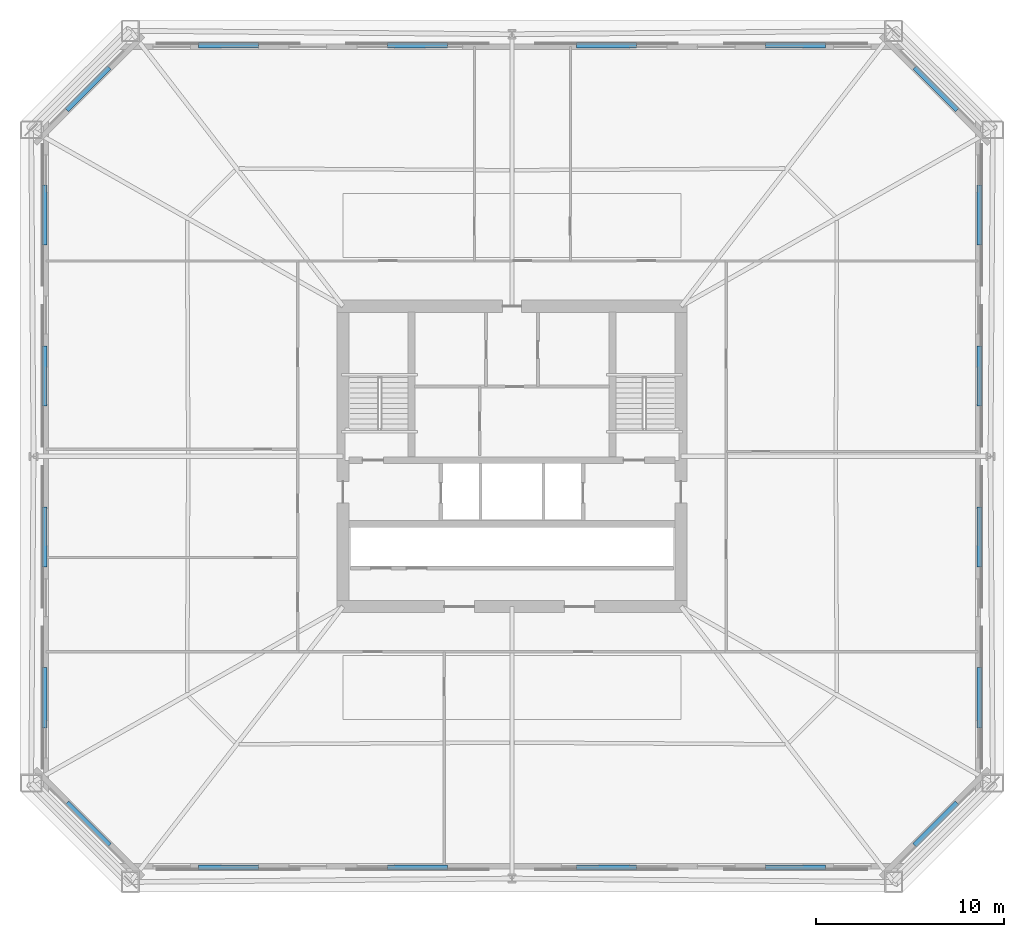
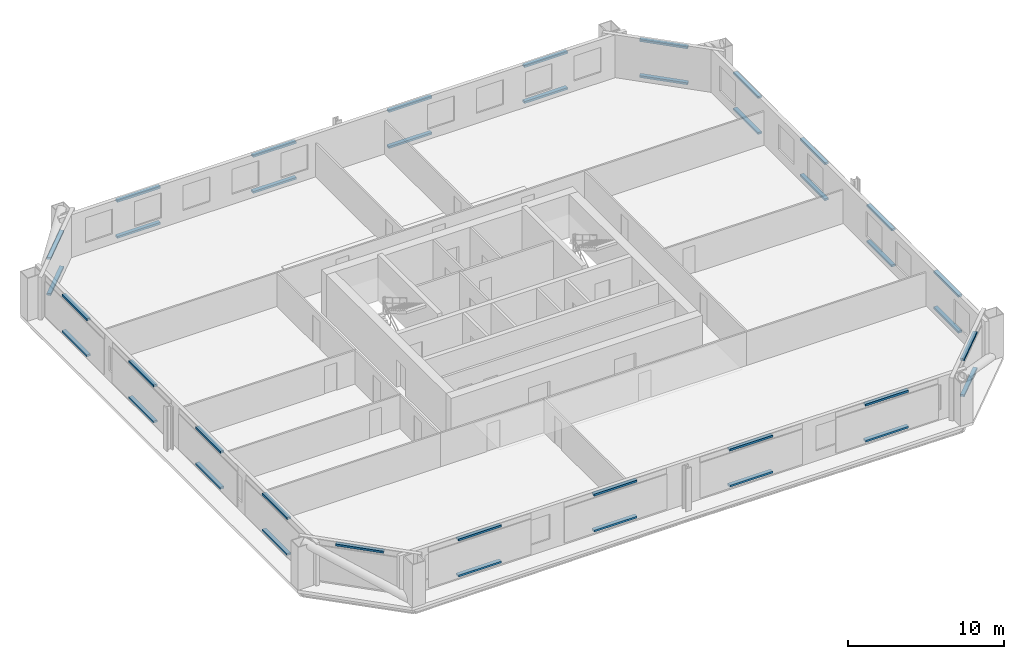
# One storey, part 8 of 11: 39 discrete accessories.
"""IFC4 building model written with IfcOpenShell, lengths in metres."""

from ifc_helpers import new_model, si_unit, direction, frame, origin, origin_2d, place, context, subcontext, project, spatial, rectangle, extrude, material, type_object, element, save


model = new_model("IFC4")

# Units and contexts
model_context = context("Model", 3, precision=1e-05, world=origin(), true_north=direction((0.0, 1.0)))
body_context = subcontext(model_context, "Body", "Model", "MODEL_VIEW")
ifc_project = project(units=[si_unit("LENGTHUNIT", "METRE"), si_unit("AREAUNIT", "SQUARE_METRE"), si_unit("VOLUMEUNIT", "CUBIC_METRE"), si_unit("PLANEANGLEUNIT", "RADIAN"), si_unit("MASSUNIT", "GRAM", prefix="KILO")], contexts=[model_context])

# Site, building, storey
site_placement = place(None, origin())
site = spatial("IfcSite", under=ifc_project, at=site_placement, CompositionType="ELEMENT")
building_placement = place(site_placement, origin())
building = spatial("IfcBuilding", under=site, at=building_placement, Name="Caelvoria Tower", CompositionType="ELEMENT")
storey_placement = place(building_placement, frame((0.0, 0.0, 74.800048828125)))
storey = spatial("IfcBuildingStorey", under=building, at=storey_placement, Name="L19", CompositionType="ELEMENT", Elevation=74.800048828125)

# Discrete accessories
ifc_material = material(Name="Anodised Bronze Stainless Bracket", Category="bronze")
discrete_accessory_type = type_object("IfcDiscreteAccessoryType", Name="Solar Screen Outrigger Support Bracket", PredefinedType="BRACKET", material=ifc_material)
for number, where, z_axis, x_axis, name in (
    (1, (30.89501953125, 10.10302734375, 0.240234375), (0.0, 0.0, 1.0), (1.0, 0.0, 0.0), "Solar Screen Bracket L19-E0-00"),
    (2, (30.89501953125, 10.10302734375, 3.06005859375), (0.0, 0.0, 1.0), (1.0, 0.0, 0.0), "Upper Screen Band Bracket L19-E0-00"),
    (3, (40.965087890625, 10.10302734375, 0.240234375), (0.0, 0.0, 1.0), (1.0, 0.0, 0.0), "Solar Screen Bracket L19-E0-01"),
    (4, (40.965087890625, 10.10302734375, 3.06005859375), (0.0, 0.0, 1.0), (1.0, 0.0, 0.0), "Upper Screen Band Bracket L19-E0-01"),
    (5, (51.034912109375, 10.10302734375, 0.240234375), (0.0, 0.0, 1.0), (1.0, 0.0, 0.0), "Solar Screen Bracket L19-E0-02"),
    (6, (51.034912109375, 10.10302734375, 3.06005859375), (0.0, 0.0, 1.0), (1.0, 0.0, 0.0), "Upper Screen Band Bracket L19-E0-02"),
    (7, (61.10498046875, 10.10302734375, 0.240234375), (0.0, 0.0, 1.0), (1.0, 0.0, 0.0), "Solar Screen Bracket L19-E0-03"),
    (8, (61.10498046875, 10.10302734375, 3.06005859375), (0.0, 0.0, 1.0), (1.0, 0.0, 0.0), "Upper Screen Band Bracket L19-E0-03"),
    (9, (68.57861328125, 12.42138671875, 0.240234375), (0.0, 0.0, 1.0), (0.707106781187, 0.707106781187, 0.0), "Solar Screen Bracket L19-E1-00"),
    (10, (68.57861328125, 12.42138671875, 3.06005859375), (0.0, 0.0, 1.0), (0.707106781187, 0.707106781187, 0.0), "Upper Screen Band Bracket L19-E1-00"),
    (11, (70.89697265625, 19.14501953125, 0.240234375), (0.0, 0.0, 1.0), (0.0, 1.0, 0.0), "Solar Screen Bracket L19-E2-00"),
    (12, (70.89697265625, 19.14501953125, 3.06005859375), (0.0, 0.0, 1.0), (0.0, 1.0, 0.0), "Upper Screen Band Bracket L19-E2-00"),
    (13, (70.89697265625, 27.715087890625, 0.240234375), (0.0, 0.0, 1.0), (0.0, 1.0, 0.0), "Solar Screen Bracket L19-E2-01"),
    (14, (70.89697265625, 27.715087890625, 3.06005859375), (0.0, 0.0, 1.0), (0.0, 1.0, 0.0), "Upper Screen Band Bracket L19-E2-01"),
    (15, (70.89697265625, 36.284912109375, 0.240234375), (0.0, 0.0, 1.0), (0.0, 1.0, 0.0), "Solar Screen Bracket L19-E2-02"),
    (16, (70.89697265625, 36.284912109375, 3.06005859375), (0.0, 0.0, 1.0), (0.0, 1.0, 0.0), "Upper Screen Band Bracket L19-E2-02"),
    (17, (70.89697265625, 44.85498046875, 0.240234375), (0.0, 0.0, 1.0), (0.0, 1.0, 0.0), "Solar Screen Bracket L19-E2-03"),
    (18, (70.89697265625, 44.85498046875, 3.06005859375), (0.0, 0.0, 1.0), (0.0, 1.0, 0.0), "Upper Screen Band Bracket L19-E2-03"),
    (19, (68.57861328125, 51.57861328125, 0.240234375), (0.0, 0.0, 1.0), (-0.707106781187, 0.707106781187, 0.0), "Solar Screen Bracket L19-E3-00"),
    (20, (68.57861328125, 51.57861328125, 3.06005859375), (0.0, 0.0, 1.0), (-0.707106781187, 0.707106781187, 0.0), "Upper Screen Band Bracket L19-E3-00"),
    (21, (61.10498046875, 53.89697265625, 0.240234375), (0.0, 0.0, 1.0), (-1.0, 0.0, 0.0), "Solar Screen Bracket L19-E4-00"),
    (22, (61.10498046875, 53.89697265625, 3.06005859375), (0.0, 0.0, 1.0), (-1.0, 0.0, 0.0), "Upper Screen Band Bracket L19-E4-00"),
    (23, (51.034912109375, 53.89697265625, 0.240234375), (0.0, 0.0, 1.0), (-1.0, 0.0, 0.0), "Solar Screen Bracket L19-E4-01"),
    (24, (51.034912109375, 53.89697265625, 3.06005859375), (0.0, 0.0, 1.0), (-1.0, 0.0, 0.0), "Upper Screen Band Bracket L19-E4-01"),
    (25, (40.965087890625, 53.89697265625, 0.240234375), (0.0, 0.0, 1.0), (-1.0, 0.0, 0.0), "Solar Screen Bracket L19-E4-02"),
    (26, (40.965087890625, 53.89697265625, 3.06005859375), (0.0, 0.0, 1.0), (-1.0, 0.0, 0.0), "Upper Screen Band Bracket L19-E4-02"),
    (27, (30.89501953125, 53.89697265625, 0.240234375), (0.0, 0.0, 1.0), (-1.0, 0.0, 0.0), "Solar Screen Bracket L19-E4-03"),
    (28, (30.89501953125, 53.89697265625, 3.06005859375), (0.0, 0.0, 1.0), (-1.0, 0.0, 0.0), "Upper Screen Band Bracket L19-E4-03"),
    (29, (23.42138671875, 51.57861328125, 0.240234375), (0.0, 0.0, 1.0), (-0.707106781187, -0.707106781187, 0.0), "Solar Screen Bracket L19-E5-00"),
    (30, (23.42138671875, 51.57861328125, 3.06005859375), (0.0, 0.0, 1.0), (-0.707106781187, -0.707106781187, 0.0), "Upper Screen Band Bracket L19-E5-00"),
    (31, (21.10302734375, 44.85498046875, 0.240234375), (0.0, 0.0, 1.0), (0.0, -1.0, 0.0), "Solar Screen Bracket L19-E6-00"),
    (32, (21.10302734375, 44.85498046875, 3.06005859375), (0.0, 0.0, 1.0), (0.0, -1.0, 0.0), "Upper Screen Band Bracket L19-E6-00"),
    (33, (21.10302734375, 36.284912109375, 0.240234375), (0.0, 0.0, 1.0), (0.0, -1.0, 0.0), "Solar Screen Bracket L19-E6-01"),
    (34, (21.10302734375, 36.284912109375, 3.06005859375), (0.0, 0.0, 1.0), (0.0, -1.0, 0.0), "Upper Screen Band Bracket L19-E6-01"),
    (35, (21.10302734375, 27.715087890625, 0.240234375), (0.0, 0.0, 1.0), (0.0, -1.0, 0.0), "Solar Screen Bracket L19-E6-02"),
    (36, (21.10302734375, 27.715087890625, 3.06005859375), (0.0, 0.0, 1.0), (0.0, -1.0, 0.0), "Upper Screen Band Bracket L19-E6-02"),
    (37, (21.10302734375, 19.14501953125, 0.240234375), (0.0, 0.0, 1.0), (0.0, -1.0, 0.0), "Solar Screen Bracket L19-E6-03"),
    (38, (21.10302734375, 19.14501953125, 3.06005859375), (0.0, 0.0, 1.0), (0.0, -1.0, 0.0), "Upper Screen Band Bracket L19-E6-03"),
    (39, (23.42138671875, 12.42138671875, 3.06005859375), (0.0, 0.0, 1.0), (0.707106781187, -0.707106781187, 0.0), "Upper Screen Band Bracket L19-E7-00"),
):
    element("IfcDiscreteAccessory", number, at=place(storey_placement, frame(where, z_axis=z_axis, x_axis=x_axis)), inside=storey, type_object=discrete_accessory_type, Name=name, PredefinedType="BRACKET", context=body_context, shape_type="SweptSolid", body=[
        extrude(rectangle(XDim=3.199951171875, YDim=0.280029296875, at=origin_2d()), origin(), (0.0, 0.0, 1.0), 0.159912109375),
    ])

save(model, "model.ifc")
